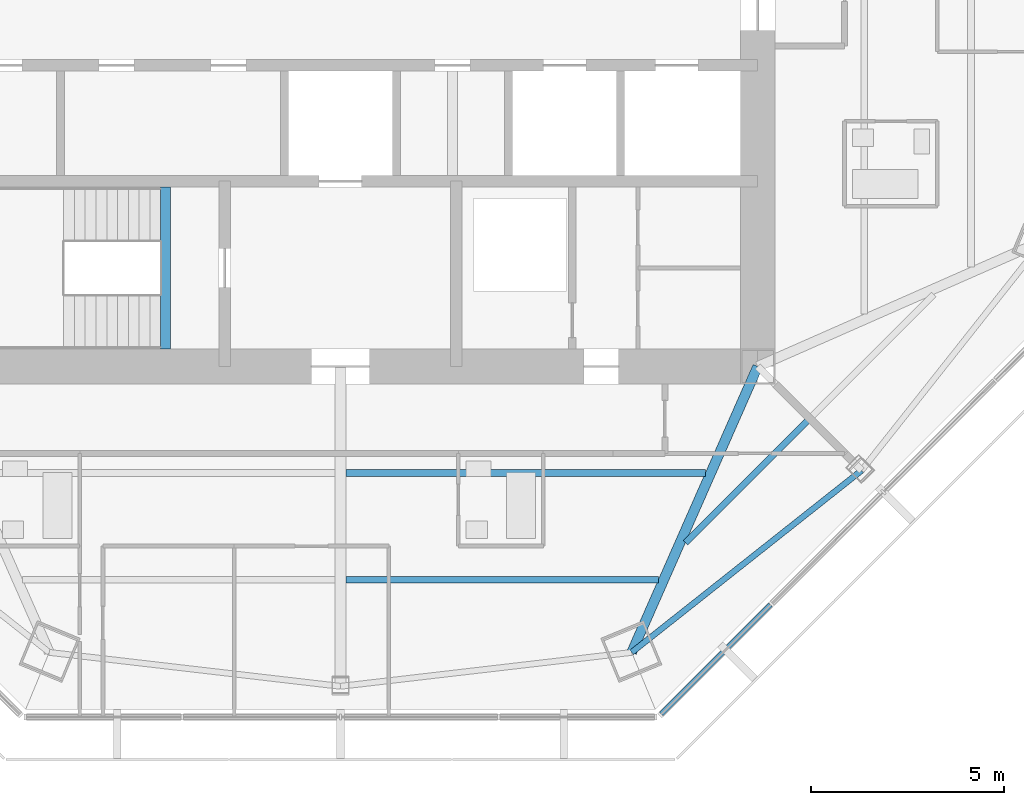
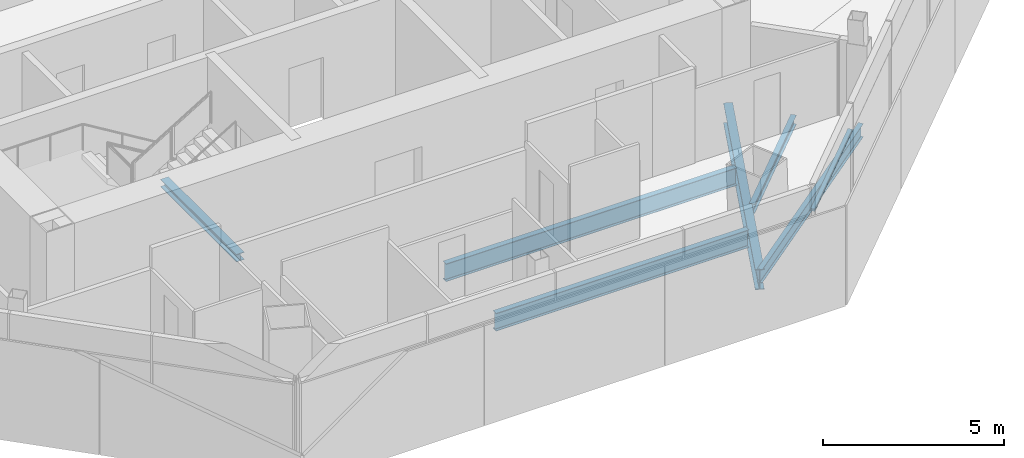
# One storey, part 3 of 14: 6 beams, 1 member, 1 element without a shape of its own.
"""IFC4 building model written with IfcOpenShell, lengths in metres."""

import ifcopenshell
import ifcopenshell.guid

model = None  # the IFC model being written
_history = None  # IfcOwnerHistory: only IFC2X3 demands one
_inside = {}  # id of a spatial element -> (the spatial element, [elements in it])
_under = {}  # id of a project, library or spatial element -> (it, [spatial elements below it])
_declared = {}  # id of a project -> (the project, [libraries it declares])
_typed = {}  # id of a type object -> (the type object, [elements of that type])
_made_of = {}  # id of a material, layer set ... -> (it, [elements and type objects made of it])


def new_model(schema):
    """Start an empty IFC model of exactly this schema.

    Asked for "IFC4X3", IfcOpenShell would pick the latest addendum, in which some entities
    have other attributes; the version numbers below select the first issue.
    IFC2X3 requires an IfcOwnerHistory on every rooted entity: one is made here for all.
    """
    global model, _history
    if schema == "IFC4X3":
        model = ifcopenshell.file(schema_version=(4, 3, 0, 0))
    else:
        model = ifcopenshell.file(schema=schema)
    _inside.clear()
    _under.clear()
    _declared.clear()
    _typed.clear()
    _made_of.clear()
    _history = None
    if model.schema == "IFC2X3":
        org = make("IfcOrganization", Name="unknown")
        user = make(
            "IfcPersonAndOrganization",
            ThePerson=make("IfcPerson", FamilyName="unknown"),
            TheOrganization=org,
        )
        app = make(
            "IfcApplication",
            ApplicationDeveloper=org,
            Version="unknown",
            ApplicationFullName="unknown",
            ApplicationIdentifier="unknown",
        )
        _history = make(
            "IfcOwnerHistory",
            OwningUser=user,
            OwningApplication=app,
            ChangeAction="ADDED",
            CreationDate=0,
        )
    return model


def make(cls, **values):
    """One entity of the class cls with the attributes given. An attribute that is None is left unset."""
    return model.create_entity(
        cls, **{name: value for name, value in values.items() if value is not None}
    )


def rooted(cls, **values):
    """An entity with a GlobalId (a new one), such as an element, a storey or a relation."""
    return make(cls, GlobalId=ifcopenshell.guid.new(), OwnerHistory=_history, **values)


def si_unit(unit_type, name, prefix=None):
    """IfcSIUnit, for example si_unit("LENGTHUNIT", "METRE", prefix="MILLI")."""
    return make("IfcSIUnit", UnitType=unit_type, Prefix=prefix, Name=name)


def assignment(units):
    """IfcUnitAssignment: the units of a project."""
    return None if units is None else make("IfcUnitAssignment", Units=units)


def point(xyz):
    """IfcCartesianPoint."""
    return None if xyz is None else make("IfcCartesianPoint", Coordinates=xyz)


def direction(xyz):
    """IfcDirection."""
    return None if xyz is None else make("IfcDirection", DirectionRatios=xyz)


def frame(location, z_axis=None, x_axis=None):
    """IfcAxis2Placement3D, a coordinate frame: its origin and axes. An axis left out is left unset."""
    return make(
        "IfcAxis2Placement3D",
        Location=point(location),
        Axis=direction(z_axis),
        RefDirection=direction(x_axis),
    )


def frame_2d(location, x_axis=None):
    """IfcAxis2Placement2D, a coordinate frame in the plane: its origin and x axis."""
    return make(
        "IfcAxis2Placement2D", Location=point(location), RefDirection=direction(x_axis)
    )


def origin():
    """The frame at (0, 0, 0) with its axes left unset."""
    return frame((0.0, 0.0, 0.0))


def origin_2d():
    """The frame at (0, 0) in the plane with its x axis left unset."""
    return frame_2d((0.0, 0.0))


def place(relative_to, where):
    """IfcLocalPlacement: puts the frame where relative to a parent placement (None: the world)."""
    return make(
        "IfcLocalPlacement", PlacementRelTo=relative_to, RelativePlacement=where
    )


def context(
    kind, dimensions, precision=None, world=None, true_north=None, identifier=None
):
    """IfcGeometricRepresentationContext, for example the 3D "Model" context."""
    return make(
        "IfcGeometricRepresentationContext",
        ContextIdentifier=identifier,
        ContextType=kind,
        CoordinateSpaceDimension=dimensions,
        Precision=precision,
        WorldCoordinateSystem=world,
        TrueNorth=true_north,
    )


def subcontext(parent, identifier, kind, view, scale=None):
    """IfcGeometricRepresentationSubContext, for example "Body" below "Model"."""
    return make(
        "IfcGeometricRepresentationSubContext",
        ContextIdentifier=identifier,
        ContextType=kind,
        ParentContext=parent,
        TargetScale=scale,
        TargetView=view,
    )


def project(units=None, contexts=None):
    """IfcProject with its units and contexts."""
    return rooted(
        "IfcProject",
        Name="project",
        RepresentationContexts=contexts,
        UnitsInContext=assignment(units),
    )


def spatial(cls, under=None, at=None, **own):
    """A site, building, storey or space (cls), placed at a placement, below another one or the project."""
    s = rooted(cls, ObjectPlacement=at, **own)
    if under is not None:
        _under.setdefault(under.id(), (under, []))[1].append(s)
    return s


def profile(cls, at=None, kind="AREA", **sizes):
    """A parametric profile (cls). Its sizes go by their IFC names, for example OverallWidth=200.0."""
    return make(cls, ProfileType=kind, Position=at, **sizes)


def rectangle(**sizes):
    """IfcRectangleProfileDef."""
    return profile("IfcRectangleProfileDef", **sizes)


def i_section(**sizes):
    """IfcIShapeProfileDef."""
    return profile("IfcIShapeProfileDef", **sizes)


def extrude(swept, where, along, depth):
    """IfcExtrudedAreaSolid: the profile swept, set in the frame where, extruded along a direction by depth."""
    return make(
        "IfcExtrudedAreaSolid",
        SweptArea=swept,
        Position=where,
        ExtrudedDirection=direction(along),
        Depth=depth,
    )


def shape(context_of_items, identifier, shape_type, items):
    """IfcShapeRepresentation: the items that make up one representation, for example the "Body"."""
    return make(
        "IfcShapeRepresentation",
        ContextOfItems=context_of_items,
        RepresentationIdentifier=identifier,
        RepresentationType=shape_type,
        Items=items,
    )


def source(mapping_origin, context_of_items, identifier, shape_type, items):
    """IfcRepresentationMap: a shape defined once, which mapped items show again and again."""
    return make(
        "IfcRepresentationMap",
        MappingOrigin=mapping_origin,
        MappedRepresentation=shape(context_of_items, identifier, shape_type, items),
    )


def transform(
    local_origin,
    x_axis=None,
    y_axis=None,
    z_axis=None,
    scale=None,
    scale2=None,
    scale3=None,
    uniform=True,
):
    """IfcCartesianTransformationOperator3D, or its non-uniform kind. x_axis, y_axis, z_axis: its Axis1, 2, 3."""
    if uniform:
        return make(
            "IfcCartesianTransformationOperator3D",
            Axis1=direction(x_axis),
            Axis2=direction(y_axis),
            LocalOrigin=point(local_origin),
            Scale=scale,
            Axis3=direction(z_axis),
        )
    return make(
        "IfcCartesianTransformationOperator3DnonUniform",
        Axis1=direction(x_axis),
        Axis2=direction(y_axis),
        LocalOrigin=point(local_origin),
        Scale=scale,
        Axis3=direction(z_axis),
        Scale2=scale2,
        Scale3=scale3,
    )


def mapped(mapping_source, mapping_target):
    """IfcMappedItem: shows the shape of a source again, moved by a transform."""
    return make(
        "IfcMappedItem", MappingSource=mapping_source, MappingTarget=mapping_target
    )


def material(Name=None, Category=None):
    """IfcMaterial."""
    return make("IfcMaterial", Name=Name, Category=Category)


def material_profile(
    of_material, cross_section, Name=None, Category=None, Priority=None
):
    """IfcMaterialProfile: a cross section and its material."""
    return make(
        "IfcMaterialProfile",
        Name=Name,
        Material=of_material,
        Profile=cross_section,
        Priority=Priority,
        Category=Category,
    )


def profile_set(profiles, Name=None, composite=None):
    """IfcMaterialProfileSet."""
    return make(
        "IfcMaterialProfileSet",
        Name=Name,
        MaterialProfiles=profiles,
        CompositeProfile=composite,
    )


def made_of(thing, what):
    """Note that an element or type object is made of a material, layer set ...; save() writes the relation."""
    if what is not None:
        _made_of.setdefault(what.id(), (what, []))[1].append(thing)
    return thing


def type_object(cls, material=None, **own):
    """A type object (cls), such as IfcWallType, which elements share."""
    return made_of(rooted(cls, **own), material)


def type_shapes(of_type, sources):
    """Give a type object the sources (RepresentationMaps) that its elements show as mapped items."""
    of_type.RepresentationMaps = sources


def element(
    cls,
    number,
    at=None,
    inside=None,
    cuts=None,
    type_object=None,
    material=None,
    context=None,
    identifier="Body",
    shape_type=None,
    held_by="IfcProductDefinitionShape",
    body=None,
    shapes=None,
    **own,
):
    """One element of the class cls, such as IfcWall. Its Tag is "e" and its number.

    at: its placement. inside: the storey or other place that contains it. cuts: it is an
    opening in that element (IfcRelVoidsElement). A single representation is given by context,
    identifier, shape_type and body (its items); several are given by shapes. held_by: the class
    of the entity that holds the representations. save() writes the other relations.
    """
    e = rooted(cls, Tag="e%d" % number, ObjectPlacement=at, **own)
    if body is not None:
        shapes = [shape(context, identifier, shape_type, body)]
    if shapes is not None:
        e.Representation = make(held_by, Representations=shapes)
    if inside is not None:
        _inside.setdefault(inside.id(), (inside, []))[1].append(e)
    if cuts is not None:
        rooted(
            "IfcRelVoidsElement", RelatingBuildingElement=cuts, RelatedOpeningElement=e
        )
    if type_object is not None:
        _typed.setdefault(type_object.id(), (type_object, []))[1].append(e)
    return made_of(e, material)


def aggregate(whole, parts):
    """IfcRelAggregates: a whole, such as a stair, and the parts it consists of."""
    return rooted("IfcRelAggregates", RelatingObject=whole, RelatedObjects=parts)


def save(model, path):
    """Write the relations noted so far, then the file.

    IfcRelAggregates (storeys below a building ...), IfcRelContainedInSpatialStructure (elements
    in a storey), IfcRelDefinesByType, IfcRelAssociatesMaterial and IfcRelDeclares: one each for
    every whole, place, type object, material and project.
    """
    for whole, parts in _under.values():
        aggregate(whole, parts)
    for where, things in _inside.values():
        rooted(
            "IfcRelContainedInSpatialStructure",
            RelatedElements=things,
            RelatingStructure=where,
        )
    for kind, things in _typed.values():
        rooted("IfcRelDefinesByType", RelatedObjects=things, RelatingType=kind)
    for what, things in _made_of.values():
        rooted("IfcRelAssociatesMaterial", RelatedObjects=things, RelatingMaterial=what)
    for by, libraries in _declared.values():
        rooted("IfcRelDeclares", RelatingContext=by, RelatedDefinitions=libraries)
    model.write(path)


model = new_model("IFC4")

# Units and contexts
model_context = context("Model", 3, precision=1e-05, world=origin(), true_north=direction((0.0, 1.0)))
body_context = subcontext(model_context, "Body", "Model", "MODEL_VIEW")
ifc_project = project(units=[si_unit("LENGTHUNIT", "METRE"), si_unit("AREAUNIT", "SQUARE_METRE"), si_unit("VOLUMEUNIT", "CUBIC_METRE"), si_unit("PLANEANGLEUNIT", "RADIAN"), si_unit("MASSUNIT", "GRAM", prefix="KILO")], contexts=[model_context])

# Site, building, storey
site_placement = place(None, origin())
site = spatial("IfcSite", under=ifc_project, at=site_placement, CompositionType="ELEMENT")
building_placement = place(site_placement, origin())
building = spatial("IfcBuilding", under=site, at=building_placement, Name="Mashrafa Tower", CompositionType="ELEMENT")
storey_placement = place(building_placement, frame((0.0, 0.0, 287.800048828125)))
storey = spatial("IfcBuildingStorey", under=building, at=storey_placement, Name="L70", CompositionType="ELEMENT", Elevation=287.800048828125)

# Beams
ifc_material_1 = material(Name="Steel ASTM A992", Category="steel")
ifc_material_profile_1 = material_profile(ifc_material_1, i_section(OverallWidth=0.164794921875, OverallDepth=0.309814453125, WebThickness=0.005859375, FlangeThickness=0.009765625, FilletRadius=0.007568359375, at=origin_2d()), Name="W12X26")
ifc_profile_set_1 = profile_set([ifc_material_profile_1], Name="Steel ASTM A992")
beam_type_1 = type_object("IfcBeamType", Name="Beam W12X26", PredefinedType="BEAM", material=ifc_profile_set_1)
beam_1_placement = place(storey_placement, frame((12.08251953125, -12.20849609375, -0.35498046875), z_axis=(-0.707134169849, -0.707079391464, 0.0), x_axis=(0.707079391464, -0.707134169849, 0.0)))
element("IfcBeam", 1, at=beam_1_placement, inside=storey, type_object=beam_type_1, Name="Floor beam L70 018", PredefinedType="BEAM", context=body_context, shape_type="SweptSolid", body=[
    extrude(i_section(OverallWidth=0.164794921875, OverallDepth=0.309814453125, WebThickness=0.005859375, FlangeThickness=0.009765625, FilletRadius=0.007568359375, at=origin_2d()), origin(), (0.0, 0.0, 1.0), 4.456787109375),
])
ifc_material_2 = material(Name="Steel ASTM A992", Category="steel")
ifc_material_profile_2 = material_profile(ifc_material_2, i_section(OverallWidth=0.15234375, OverallDepth=0.449462890625, WebThickness=0.007568359375, FlangeThickness=0.0107421875, FilletRadius=0.01025390625, at=origin_2d()), Name="W18X35")
ifc_profile_set_2 = profile_set([ifc_material_profile_2], Name="Steel ASTM A992")
beam_type_2 = type_object("IfcBeamType", Name="Beam W18X35", PredefinedType="BEAM", material=ifc_profile_set_2)
beam_2_placement = place(storey_placement, frame((7.5390625, -18.20068359375, -0.4248046875), z_axis=(0.784159304462, 0.620559574276, 0.0), x_axis=(-0.620559574276, 0.784159304462, 0.0)))
element("IfcBeam", 2, at=beam_2_placement, inside=storey, type_object=beam_type_2, Name="Spandrel beam L70 050", PredefinedType="BEAM", context=body_context, shape_type="SweptSolid", body=[
    extrude(i_section(OverallWidth=0.15234375, OverallDepth=0.449462890625, WebThickness=0.007568359375, FlangeThickness=0.0107421875, FilletRadius=0.01025390625, at=origin_2d()), origin(), (0.0, 0.0, 1.0), 7.58984375),
])
ifc_material_3 = material(Name="Steel ASTM A992", Category="steel")
ifc_material_profile_3 = material_profile(ifc_material_3, i_section(OverallWidth=0.177978515625, OverallDepth=0.599365234375, WebThickness=0.010009765625, FlangeThickness=0.012939453125, FilletRadius=0.012939453125, at=origin_2d()), Name="W24X55")
ifc_profile_set_3 = profile_set([ifc_material_profile_3], Name="Steel ASTM A992")
beam_type_3 = type_object("IfcBeamType", Name="Beam W24X55", PredefinedType="BEAM", material=ifc_profile_set_3)
beam_3_placement = place(storey_placement, frame((8.227783203125, -16.3193359375, -0.499755859375), z_axis=(-1.0, 0.0, 0.0), x_axis=(0.0, -1.0, 0.0)))
element("IfcBeam", 3, at=beam_3_placement, inside=storey, type_object=beam_type_3, Name="Floor beam L70 015", PredefinedType="BEAM", context=body_context, shape_type="SweptSolid", body=[
    extrude(i_section(OverallWidth=0.177978515625, OverallDepth=0.599365234375, WebThickness=0.010009765625, FlangeThickness=0.012939453125, FilletRadius=0.012939453125, at=origin_2d()), origin(), (0.0, 0.0, 1.0), 8.081787109375),
])
beam_4_placement = place(storey_placement, frame((9.44384765625, -13.5595703125, -0.499755859375), z_axis=(-1.0, 0.0, 0.0), x_axis=(0.0, -1.0, 0.0)))
element("IfcBeam", 4, at=beam_4_placement, inside=storey, type_object=beam_type_3, Name="Floor beam L70 017", PredefinedType="BEAM", context=body_context, shape_type="SweptSolid", body=[
    extrude(i_section(OverallWidth=0.177978515625, OverallDepth=0.599365234375, WebThickness=0.010009765625, FlangeThickness=0.012939453125, FilletRadius=0.012939453125, at=origin_2d()), origin(), (0.0, 0.0, 1.0), 9.2978515625),
])
ifc_material_4 = material(Name="Steel ASTM A992", Category="steel")
ifc_material_profile_4 = material_profile(ifc_material_4, i_section(OverallWidth=0.256591796875, OverallDepth=0.693359375, WebThickness=0.014404296875, FlangeThickness=0.023681640625, FilletRadius=0.01513671875, at=origin_2d()), Name="W27X114")
ifc_profile_set_4 = profile_set([ifc_material_profile_4], Name="Steel ASTM A992")
beam_type_4 = type_object("IfcBeamType", Name="Beam W27X114", PredefinedType="BEAM", material=ifc_profile_set_4)
beam_5_placement = place(storey_placement, frame((10.800048828125, -10.800048828125, -0.546875), z_axis=(-0.403226184423, -0.915100346517, 0.0), x_axis=(0.915100346517, -0.403226184423, 0.0)))
element("IfcBeam", 5, at=beam_5_placement, inside=storey, type_object=beam_type_4, Name="Radial girder L70 034", PredefinedType="BEAM", context=body_context, shape_type="SweptSolid", body=[
    extrude(i_section(OverallWidth=0.256591796875, OverallDepth=0.693359375, WebThickness=0.014404296875, FlangeThickness=0.023681640625, FilletRadius=0.01513671875, at=origin_2d()), origin(), (0.0, 0.0, 1.0), 8.087158203125),
])
ifc_material_5 = material(Name="Steel ASTM A992", Category="steel")
ifc_material_profile_5 = material_profile(ifc_material_5, i_section(OverallWidth=0.25390625, OverallDepth=0.25390625, WebThickness=0.008544921875, FlangeThickness=0.01416015625, FilletRadius=0.010009765625, at=origin_2d()), Name="W10X49")
ifc_profile_set_5 = profile_set([ifc_material_profile_5], Name="Steel ASTM A992")
beam_type_5 = type_object("IfcBeamType", Name="Hoistway beam W10X49", PredefinedType="BEAM", material=ifc_profile_set_5)
beam_6_placement = place(storey_placement, frame((-4.530029296875, -10.35009765625, -0.3271484375), z_axis=(0.0, 1.0, 0.0), x_axis=(-1.0, 0.0, 0.0)))
element("IfcBeam", 6, at=beam_6_placement, inside=storey, type_object=beam_type_5, Name="Stair S3 landing beam L70", PredefinedType="BEAM", context=body_context, shape_type="SweptSolid", body=[
    extrude(i_section(OverallWidth=0.25390625, OverallDepth=0.25390625, WebThickness=0.008544921875, FlangeThickness=0.01416015625, FilletRadius=0.010009765625, at=origin_2d()), origin(), (0.0, 0.0, 1.0), 4.2001953125),
])

# Curtain wall, member
ifc_material_6 = material(Name="Unitised aluminium curtain wall", Category="aluminium")
curtain_wall_type = type_object("IfcCurtainWallType", Name="Apartment curtain wall, zone 4 CW-D 160 deep", PredefinedType="NOTDEFINED", material=ifc_material_6)
curtain_wall_placement = place(storey_placement, origin())
curtain_wall = element("IfcCurtainWall", 7, at=curtain_wall_placement, inside=storey, type_object=curtain_wall_type, Name="Apartment curtain wall, zone 4 L70 south-east", PredefinedType="NOTDEFINED")
ifc_material_7 = material(Name="Extruded aluminium transom", Category="aluminium")
ifc_material_profile_6 = material_profile(ifc_material_7, rectangle(XDim=0.1279296875, YDim=0.074951171875, at=origin_2d()), Name="Transom 75x128")
ifc_profile_set_6 = profile_set([ifc_material_profile_6], Name="Extruded aluminium transom")
member_type = type_object("IfcMemberType", Name="Transom CW-D 75 x 128", PredefinedType="MULLION", material=ifc_profile_set_6)
shared_shape = source(origin(), body_context, "Body", "SweptSolid", [
    extrude(rectangle(XDim=0.1279296875, YDim=0.074951171875, at=origin_2d()), origin(), (0.0, 0.0, 1.0), 4.00439453125),
])
type_shapes(member_type, [shared_shape])
member_placement = place(storey_placement, frame((8.3046875, -19.80029296875, 2.5), z_axis=(0.707106781187, 0.707106781187, 0.0), x_axis=(-0.707106781187, 0.707106781187, 0.0)))
member = element("IfcMember", 8, at=member_placement, type_object=member_type, Name="CW-D transom 1", PredefinedType="MULLION", context=body_context, shape_type="MappedRepresentation", body=[
    mapped(shared_shape, transform((0.0, 0.0, 0.0))),
])
aggregate(curtain_wall, [member])

save(model, "model.ifc")
